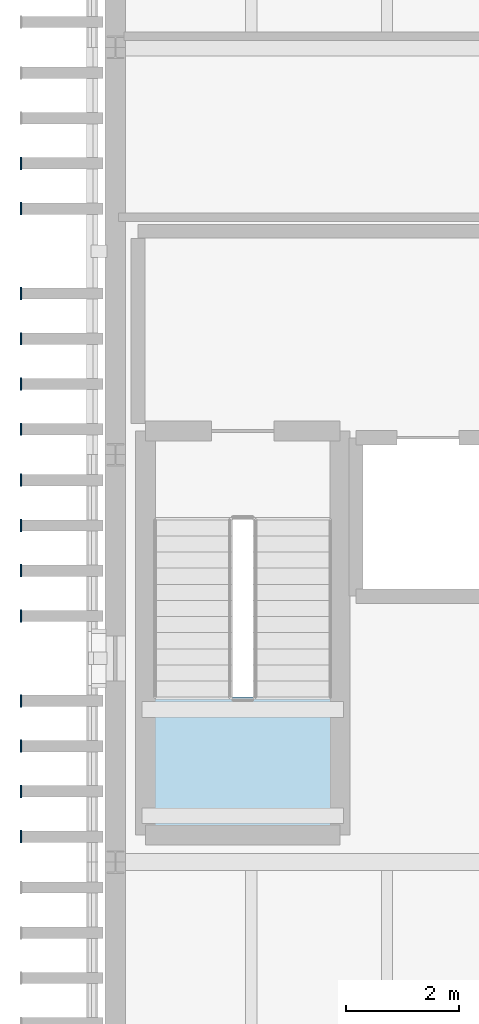
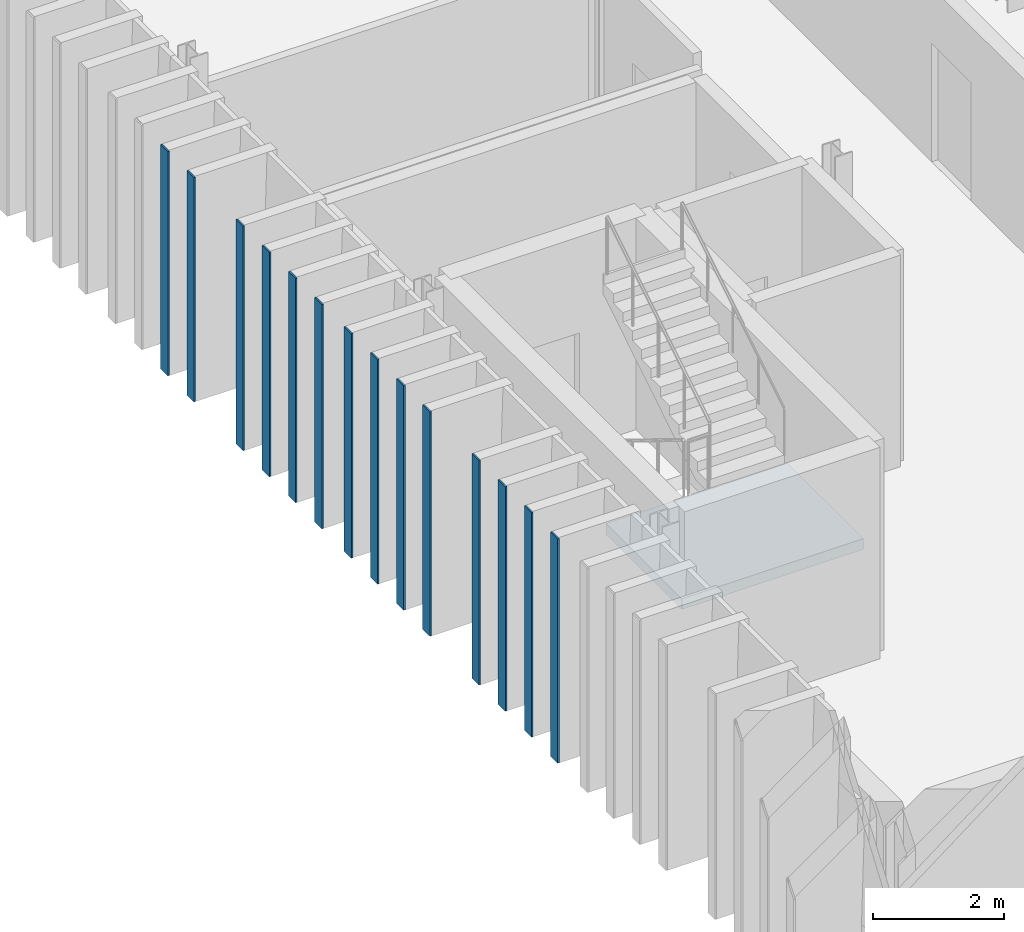
# One storey, part 22 of 66: 14 plates, 1 slab, 1 element without a shape of its own.
"""IFC4 building model written with IfcOpenShell, lengths in metres."""

from ifc_helpers import new_model, si_unit, direction, frame, origin, origin_2d, place, context, subcontext, project, spatial, polyline, rectangle, outline, extrude, material, layer, layer_set, type_object, element, aggregate, save


model = new_model("IFC4")

# Units and contexts
model_context = context("Model", 3, precision=1e-05, world=origin(), true_north=direction((0.0, 1.0)))
body_context = subcontext(model_context, "Body", "Model", "MODEL_VIEW")
ifc_project = project(units=[si_unit("LENGTHUNIT", "METRE"), si_unit("AREAUNIT", "SQUARE_METRE"), si_unit("VOLUMEUNIT", "CUBIC_METRE"), si_unit("PLANEANGLEUNIT", "RADIAN"), si_unit("MASSUNIT", "GRAM", prefix="KILO")], contexts=[model_context])

# Site, building, storey
site_placement = place(None, origin())
site = spatial("IfcSite", under=ifc_project, at=site_placement, CompositionType="ELEMENT")
building_placement = place(site_placement, origin())
building = spatial("IfcBuilding", under=site, at=building_placement, Name="Narikvali Park Central Library", CompositionType="ELEMENT")
storey_placement = place(building_placement, frame((0.0, 0.0, 18.60009765625)))
storey = spatial("IfcBuildingStorey", under=building, at=storey_placement, Name="L04", CompositionType="ELEMENT", Elevation=18.60009765625)

# Stair, slab
ifc_material_1 = material(Name="Concrete C35/45", Category="concrete")
stair_type = type_object("IfcStairType", Name="Core Enclosed Two-Flight Exit Stair", PredefinedType="HALF_TURN_STAIR", material=ifc_material_1)
stair_placement = place(storey_placement, origin())
stair = element("IfcStair", 1, at=stair_placement, inside=storey, type_object=stair_type, Name="L04 Exit Stair ST-09", PredefinedType="HALF_TURN_STAIR")
ifc_layer_1 = layer(ifc_material_1, 0.199951171875, Name="Concrete C35/45")
ifc_layer_set_1 = layer_set([ifc_layer_1], Name="Concrete C35/45")
slab_type = type_object("IfcSlabType", Name="Stair Half-Landing Concrete Slab 200", PredefinedType="LANDING", material=ifc_layer_set_1)
slab_placement = place(storey_placement, frame((0.0, 0.0, 1.89990234375)))
slab = element("IfcSlab", 2, at=slab_placement, type_object=slab_type, Name="ST-09 landing 1", PredefinedType="LANDING", context=body_context, shape_type="SweptSolid", body=[
    extrude(outline(polyline([(0.64990234375, 46.114990234375), (0.64990234375, 43.800048828125), (3.85009765625, 43.800048828125), (3.85009765625, 46.114990234375), (0.64990234375, 46.114990234375)])), origin(), (0.0, 0.0, 1.0), 0.199951171875),
])
aggregate(stair, [slab])

# Plates
ifc_material_2 = material(Name="Anodised Bronze Aluminium", Category="aluminium")
ifc_layer_2 = layer(ifc_material_2, 0.028076171875, Name="Anodised Bronze Aluminium")
ifc_layer_set_2 = layer_set([ifc_layer_2], Name="Anodised Bronze Aluminium")
plate_type = type_object("IfcPlateType", Name="Vertical Brick Fin Bronze Bullnose Cap 28", PredefinedType="SHEET", material=ifc_layer_set_2)
for number, where, z_axis, x_axis, name in (
    (3, (-1.672119140625, 43.64990234375, 0.009765625), (0.0, 0.0, 1.0), (1.0, 0.0, 0.0), "West Stacks Fin Bullnose Trim 077"),
    (4, (-1.672119140625, 44.449951171875, 0.009765625), (0.0, 0.0, 1.0), (1.0, 0.0, 0.0), "West Stacks Fin Bullnose Trim 083"),
    (5, (-1.672119140625, 45.25, 0.009765625), (0.0, 0.0, 1.0), (1.0, 0.0, 0.0), "West Stacks Fin Bullnose Trim 089"),
    (6, (-1.672119140625, 46.050048828125, 0.009765625), (0.0, 0.0, 1.0), (1.0, 0.0, 0.0), "West Stacks Fin Bullnose Trim 095"),
    (7, (-1.672119140625, 47.550048828125, 0.009765625), (0.0, 0.0, 1.0), (1.0, 0.0, 0.0), "West Stacks Fin Bullnose Trim 101"),
    (8, (-1.672119140625, 48.35009765625, 0.009765625), (0.0, 0.0, 1.0), (1.0, 0.0, 0.0), "West Stacks Fin Bullnose Trim 107"),
    (9, (-1.672119140625, 49.14990234375, 0.009765625), (0.0, 0.0, 1.0), (1.0, 0.0, 0.0), "West Stacks Fin Bullnose Trim 113"),
    (10, (-1.672119140625, 49.949951171875, 0.009765625), (0.0, 0.0, 1.0), (1.0, 0.0, 0.0), "West Stacks Fin Bullnose Trim 119"),
    (11, (-1.672119140625, 50.85009765625, 0.009765625), (0.0, 0.0, 1.0), (1.0, 0.0, 0.0), "West Stacks Fin Bullnose Trim 125"),
    (12, (-1.672119140625, 51.64990234375, 0.009765625), (0.0, 0.0, 1.0), (1.0, 0.0, 0.0), "West Stacks Fin Bullnose Trim 131"),
    (13, (-1.672119140625, 52.449951171875, 0.009765625), (0.0, 0.0, 1.0), (1.0, 0.0, 0.0), "West Stacks Fin Bullnose Trim 137"),
    (14, (-1.672119140625, 53.25, 0.009765625), (0.0, 0.0, 1.0), (1.0, 0.0, 0.0), "West Stacks Fin Bullnose Trim 143"),
    (15, (-1.672119140625, 54.75, 0.009765625), (0.0, 0.0, 1.0), (1.0, 0.0, 0.0), "West Stacks Fin Bullnose Trim 149"),
    (16, (-1.672119140625, 55.550048828125, 0.009765625), (0.0, 0.0, 1.0), (1.0, 0.0, 0.0), "West Stacks Fin Bullnose Trim 155"),
):
    element("IfcPlate", number, at=place(storey_placement, frame(where, z_axis=z_axis, x_axis=x_axis)), inside=storey, type_object=plate_type, Name=name, PredefinedType="SHEET", context=body_context, shape_type="SweptSolid", body=[
        extrude(rectangle(XDim=0.028076171875, YDim=0.219970703125, at=origin_2d()), origin(), (0.0, 0.0, 1.0), 4.179931640625),
    ])

save(model, "model.ifc")
